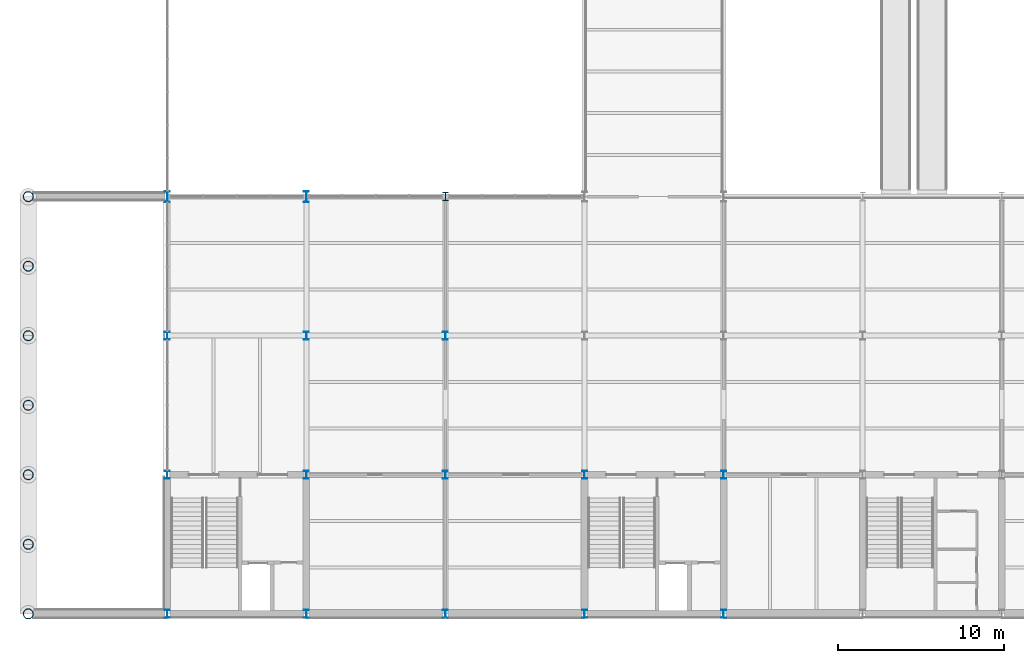
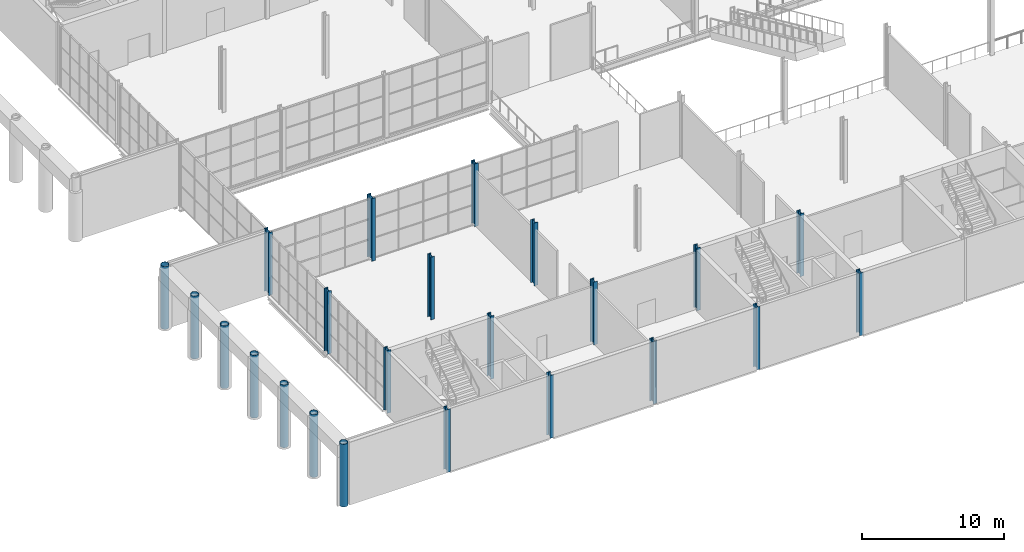
# One storey, part 1 of 64: 23 columns.
"""IFC4 building model written with IfcOpenShell, lengths in metres."""

from ifc_helpers import new_model, si_unit, direction, frame, origin, origin_2d, place, context, subcontext, project, spatial, hollow_circle, i_section, extrude, material, material_profile, profile_set, type_object, element, save


model = new_model("IFC4")

# Units and contexts
model_context = context("Model", 3, precision=1e-05, world=origin(), true_north=direction((0.0, 1.0)))
body_context = subcontext(model_context, "Body", "Model", "MODEL_VIEW")
ifc_project = project(units=[si_unit("LENGTHUNIT", "METRE"), si_unit("AREAUNIT", "SQUARE_METRE"), si_unit("VOLUMEUNIT", "CUBIC_METRE"), si_unit("PLANEANGLEUNIT", "RADIAN"), si_unit("MASSUNIT", "GRAM", prefix="KILO")], contexts=[model_context])

# Site, building, storey
site_placement = place(None, origin())
site = spatial("IfcSite", under=ifc_project, at=site_placement, CompositionType="ELEMENT")
building_placement = place(site_placement, origin())
building = spatial("IfcBuilding", under=site, at=building_placement, Name="Galleria Vessillo Department Store", CompositionType="ELEMENT")
storey_placement = place(building_placement, frame((0.0, 0.0, 6.0)))
storey = spatial("IfcBuildingStorey", under=building, at=storey_placement, Name="L01", CompositionType="ELEMENT", Elevation=6.0)

# Columns
ifc_material_1 = material(Name="Steel S355 J2", Category="steel")
ifc_material_profile_1 = material_profile(ifc_material_1, hollow_circle(Radius=0.304931640625, WallThickness=0.02490234375, at=origin_2d()), Name="CHS 610x25")
ifc_profile_set_1 = profile_set([ifc_material_profile_1], Name="Steel S355 J2")
column_type_1 = type_object("IfcColumnType", Name="Steel column CHS 610x25 CO1", PredefinedType="COLUMN", material=ifc_profile_set_1)
for number, where, z_axis, x_axis, name in (
    (1, (0.0, 0.0, 0.0), (0.0, 0.0, 1.0), (1.0, 0.0, 0.0), "S-COL-L01-1-A"),
    (2, (0.0, 4.199951171875, 0.0), (0.0, 0.0, 1.0), (1.0, 0.0, 0.0), "S-COL-L01-1-4.2"),
    (3, (0.0, 8.39990234375, 0.0), (0.0, 0.0, 1.0), (1.0, 0.0, 0.0), "S-COL-L01-1-B"),
    (4, (0.0, 12.60009765625, 0.0), (0.0, 0.0, 1.0), (1.0, 0.0, 0.0), "S-COL-L01-1-12.6"),
    (5, (0.0, 16.800048828125, 0.0), (0.0, 0.0, 1.0), (1.0, 0.0, 0.0), "S-COL-L01-1-C"),
    (6, (0.0, 21.0, 0.0), (0.0, 0.0, 1.0), (1.0, 0.0, 0.0), "S-COL-L01-1-21"),
    (7, (0.0, 25.199951171875, 0.0), (0.0, 0.0, 1.0), (1.0, 0.0, 0.0), "S-COL-L01-1-D"),
):
    element("IfcColumn", number, at=place(storey_placement, frame(where, z_axis=z_axis, x_axis=x_axis)), inside=storey, type_object=column_type_1, Name=name, PredefinedType="COLUMN", context=body_context, shape_type="SweptSolid", body=[
        extrude(hollow_circle(Radius=0.304931640625, WallThickness=0.02490234375, at=origin_2d()), origin(), (0.0, 0.0, 1.0), 5.39990234375),
    ])
ifc_material_2 = material(Name="Steel S355 J2", Category="steel")
ifc_material_profile_2 = material_profile(ifc_material_2, i_section(OverallWidth=0.300048828125, OverallDepth=0.5, WebThickness=0.014404296875, FlangeThickness=0.028076171875, FilletRadius=0.027099609375, at=origin_2d()), Name="HEB 500")
ifc_profile_set_2 = profile_set([ifc_material_profile_2], Name="Steel S355 J2")
column_type_2 = type_object("IfcColumnType", Name="Steel column HEB 500 CP1", PredefinedType="COLUMN", material=ifc_profile_set_2)
for number, where, z_axis, x_axis, name in (
    (8, (8.39990234375, 0.0, 0.0), (0.0, 0.0, 1.0), (1.0, 0.0, 0.0), "S-COL-L01-2-A"),
    (9, (8.39990234375, 8.39990234375, 0.0), (0.0, 0.0, 1.0), (1.0, 0.0, 0.0), "S-COL-L01-2-B"),
    (10, (8.39990234375, 16.800048828125, 0.0), (0.0, 0.0, 1.0), (1.0, 0.0, 0.0), "S-COL-L01-2-C"),
    (11, (16.800048828125, 0.0, 0.0), (0.0, 0.0, 1.0), (1.0, 0.0, 0.0), "S-COL-L01-3-A"),
    (12, (16.800048828125, 8.39990234375, 0.0), (0.0, 0.0, 1.0), (1.0, 0.0, 0.0), "S-COL-L01-3-B"),
    (13, (16.800048828125, 16.800048828125, 0.0), (0.0, 0.0, 1.0), (1.0, 0.0, 0.0), "S-COL-L01-3-C"),
    (14, (25.199951171875, 0.0, 0.0), (0.0, 0.0, 1.0), (1.0, 0.0, 0.0), "S-COL-L01-4-A"),
    (15, (25.199951171875, 8.39990234375, 0.0), (0.0, 0.0, 1.0), (1.0, 0.0, 0.0), "S-COL-L01-4-B"),
    (16, (25.199951171875, 16.800048828125, 0.0), (0.0, 0.0, 1.0), (1.0, 0.0, 0.0), "S-COL-L01-4-C"),
    (17, (33.60009765625, 0.0, 0.0), (0.0, 0.0, 1.0), (1.0, 0.0, 0.0), "S-COL-L01-5-A"),
    (18, (33.60009765625, 8.39990234375, 0.0), (0.0, 0.0, 1.0), (1.0, 0.0, 0.0), "S-COL-L01-5-B"),
    (19, (42.0, 0.0, 0.0), (0.0, 0.0, 1.0), (1.0, 0.0, 0.0), "S-COL-L01-6-A"),
    (20, (42.0, 8.39990234375, 0.0), (0.0, 0.0, 1.0), (1.0, 0.0, 0.0), "S-COL-L01-6-B"),
):
    element("IfcColumn", number, at=place(storey_placement, frame(where, z_axis=z_axis, x_axis=x_axis)), inside=storey, type_object=column_type_2, Name=name, PredefinedType="COLUMN", context=body_context, shape_type="SweptSolid", body=[
        extrude(i_section(OverallWidth=0.300048828125, OverallDepth=0.5, WebThickness=0.014404296875, FlangeThickness=0.028076171875, FilletRadius=0.027099609375, at=origin_2d()), origin(), (0.0, 0.0, 1.0), 5.39990234375),
    ])
ifc_material_3 = material(Name="Steel S355 J2", Category="steel")
ifc_material_profile_3 = material_profile(ifc_material_3, i_section(OverallWidth=0.305908203125, OverallDepth=0.52392578125, WebThickness=0.02099609375, FlangeThickness=0.0400390625, FilletRadius=0.027099609375, at=origin_2d()), Name="HEM 500")
ifc_profile_set_3 = profile_set([ifc_material_profile_3], Name="Steel S355 J2")
column_type_3 = type_object("IfcColumnType", Name="Steel column HEM 500 CV1", PredefinedType="COLUMN", material=ifc_profile_set_3)
column_placement = place(storey_placement, frame((25.199951171875, 25.199951171875, 0.0), z_axis=(0.0, 0.0, 1.0), x_axis=(1.0, 0.0, 0.0)))
element("IfcColumn", 21, at=column_placement, inside=storey, type_object=column_type_3, Name="S-COL-L01-4-D", PredefinedType="COLUMN", context=body_context, shape_type="SweptSolid", body=[
    extrude(i_section(OverallWidth=0.305908203125, OverallDepth=0.52392578125, WebThickness=0.02099609375, FlangeThickness=0.0400390625, FilletRadius=0.027099609375, at=origin_2d()), origin(), (0.0, 0.0, 1.0), 5.39990234375),
])
ifc_material_4 = material(Name="Steel S355 J2", Category="steel")
ifc_material_profile_4 = material_profile(ifc_material_4, i_section(OverallWidth=0.304931640625, OverallDepth=0.66796875, WebThickness=0.02099609375, FlangeThickness=0.0400390625, FilletRadius=0.027099609375, at=origin_2d()), Name="HEM 650")
ifc_profile_set_4 = profile_set([ifc_material_profile_4], Name="Steel S355 J2")
column_type_4 = type_object("IfcColumnType", Name="Steel column HEM 650 CV3", PredefinedType="COLUMN", material=ifc_profile_set_4)
for number, where, z_axis, x_axis, name in (
    (22, (8.39990234375, 25.199951171875, 0.0), (0.0, 0.0, 1.0), (1.0, 0.0, 0.0), "S-COL-L01-2-D"),
    (23, (16.800048828125, 25.199951171875, 0.0), (0.0, 0.0, 1.0), (1.0, 0.0, 0.0), "S-COL-L01-3-D"),
):
    element("IfcColumn", number, at=place(storey_placement, frame(where, z_axis=z_axis, x_axis=x_axis)), inside=storey, type_object=column_type_4, Name=name, PredefinedType="COLUMN", context=body_context, shape_type="SweptSolid", body=[
        extrude(i_section(OverallWidth=0.304931640625, OverallDepth=0.66796875, WebThickness=0.02099609375, FlangeThickness=0.0400390625, FilletRadius=0.027099609375, at=origin_2d()), origin(), (0.0, 0.0, 1.0), 5.39990234375),
    ])

save(model, "model.ifc")
